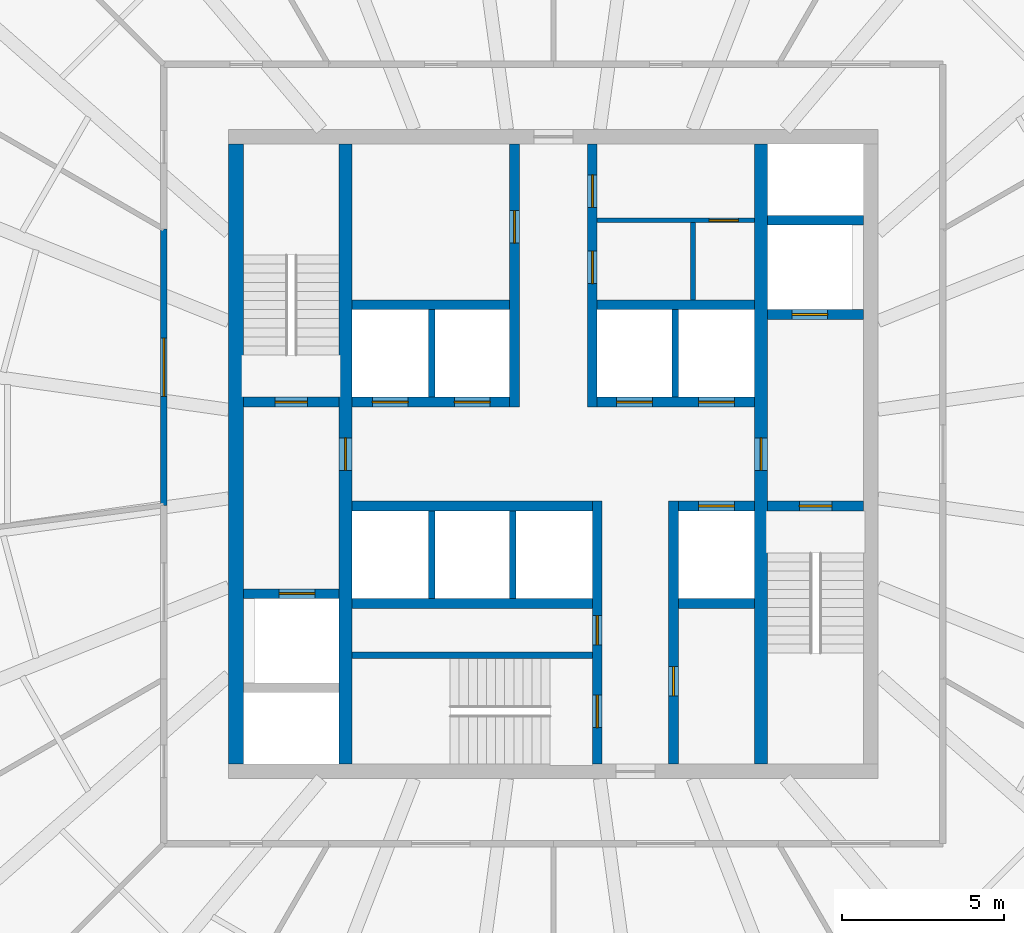
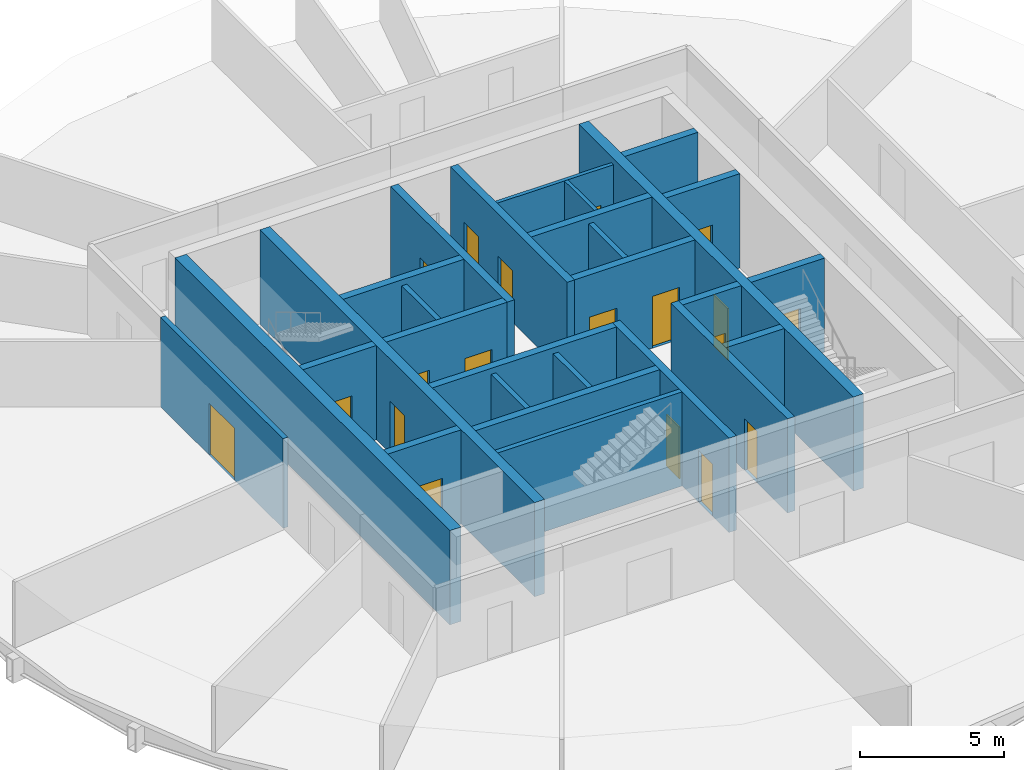
# One storey, part 3 of 6: 28 walls, 19 doors, 19 openings.
"""IFC4 building model written with IfcOpenShell, lengths in metres."""

from ifc_helpers import new_model, si_unit, direction, frame, frame_2d, origin, place, context, subcontext, project, spatial, rectangle, extrude, material, layer, layer_set, type_object, element, fill, save


model = new_model("IFC4")

# Units and contexts
model_context = context("Model", 3, precision=1e-05, world=origin(), true_north=direction((0.0, 1.0)))
body_context = subcontext(model_context, "Body", "Model", "MODEL_VIEW")
ifc_project = project(units=[si_unit("LENGTHUNIT", "METRE"), si_unit("AREAUNIT", "SQUARE_METRE"), si_unit("VOLUMEUNIT", "CUBIC_METRE"), si_unit("PLANEANGLEUNIT", "RADIAN"), si_unit("MASSUNIT", "GRAM", prefix="KILO")], contexts=[model_context])

# Site, building, storey
site_placement = place(None, origin())
site = spatial("IfcSite", under=ifc_project, at=site_placement, CompositionType="ELEMENT")
building_placement = place(site_placement, origin())
building = spatial("IfcBuilding", under=site, at=building_placement, Name="Golbaran Civic Tower", CompositionType="ELEMENT")
storey_placement = place(building_placement, frame((0.0, 0.0, 159.0)))
storey = spatial("IfcBuildingStorey", under=building, at=storey_placement, Name="L38", CompositionType="ELEMENT", Elevation=159.0)

# Wall, opening, door
ifc_material_1 = material(Name="Concrete block", Category="concrete")
ifc_layer_1 = layer(ifc_material_1, 0.14990234375, Name="Concrete block")
ifc_layer_set_1 = layer_set([ifc_layer_1], Name="Concrete block")
wall_type_1 = type_object("IfcWallType", Name="BLOCKWORK PARTITION 150", PredefinedType="PARTITIONING", material=ifc_layer_set_1)
wall_1_placement = place(storey_placement, frame((1.35009765625, 7.199951171875, 0.0), z_axis=(0.0, 0.0, 1.0), x_axis=(1.0, 0.0, 0.0)))
wall_1 = element("IfcWall", 1, at=wall_1_placement, inside=storey, type_object=wall_type_1, Name="Toilet block partition TN1 L38", PredefinedType="PARTITIONING", context=body_context, shape_type="SweptSolid", body=[
    extrude(rectangle(XDim=4.849853515625, YDim=0.14990234375, at=frame_2d((2.4248046875, 0.0))), origin(), (0.0, 0.0, 1.0), 3.75),
])
opening_1_placement = place(wall_1_placement, frame((3.449951171875, 0.0, 0.0)))
opening_1 = element("IfcOpeningElement", 2, at=opening_1_placement, cuts=wall_1, Name="Opening L38.CLN", PredefinedType="OPENING", context=body_context, shape_type="SweptSolid", body=[
    extrude(rectangle(XDim=0.89990234375, YDim=2.199951171875, at=frame_2d((0.449951171875, 1.10009765625))), frame((0.0, 0.0849609375, 0.0), z_axis=(0.0, -1.0, 0.0), x_axis=(1.0, 0.0, 0.0)), (0.0, 0.0, 1.0), 0.169921875),
])
ifc_material_2 = material(Name="Timber door set in steel frame", Category="steel")
door_type_1 = type_object("IfcDoorType", Name="RISER DOOR 900x2200", OperationType="SINGLE_SWING_LEFT", PredefinedType="DOOR", material=ifc_material_2)
door_1_placement = place(opening_1_placement, origin())
door_1 = element("IfcDoor", 3, at=door_1_placement, inside=storey, type_object=door_type_1, Name="Housekeeping Store door", OperationType="SINGLE_SWING_RIGHT", OverallHeight=2.199951171875, OverallWidth=0.89990234375, PredefinedType="DOOR", context=body_context, shape_type="SweptSolid", body=[
    extrude(rectangle(XDim=0.89990234375, YDim=2.199951171875, at=frame_2d((0.449951171875, 1.10009765625))), frame((0.0, 0.02490234375, 0.0), z_axis=(0.0, -1.0, 0.0), x_axis=(1.0, 0.0, 0.0)), (0.0, 0.0, 1.0), 0.050048828125),
])
fill(opening_1, door_1)

# Wall
wall_2_placement = place(storey_placement, frame((4.300048828125, 4.75, 0.0), z_axis=(0.0, 0.0, 1.0), x_axis=(0.0, 1.0, 0.0)))
element("IfcWall", 4, at=wall_2_placement, inside=storey, type_object=wall_type_1, Name="Toilet block partition TN2 L38", PredefinedType="PARTITIONING", context=body_context, shape_type="SweptSolid", body=[
    extrude(rectangle(XDim=2.375, YDim=0.14990234375, at=frame_2d((1.1875, 0.0))), origin(), (0.0, 0.0, 1.0), 3.75),
])

# Wall, opening, door
ifc_material_3 = material(Name="Concrete C50/60", Category="concrete")
ifc_layer_2 = layer(ifc_material_3, 0.39990234375, Name="Concrete C50/60")
ifc_layer_set_2 = layer_set([ifc_layer_2], Name="Concrete C50/60")
wall_type_2 = type_object("IfcWallType", Name="CORE WALL CONCRETE 400", PredefinedType="SOLIDWALL", material=ifc_layer_set_2)
wall_3_placement = place(storey_placement, frame((-6.39990234375, -9.550048828125, 0.0), z_axis=(0.0, 0.0, 1.0), x_axis=(0.0, 1.0, 0.0)))
wall_3 = element("IfcWall", 5, at=wall_3_placement, inside=storey, type_object=wall_type_2, Name="Core wall IW L38", PredefinedType="SOLIDWALL", context=body_context, shape_type="SweptSolid", body=[
    extrude(rectangle(XDim=19.10009765625, YDim=0.39990234375, at=frame_2d((9.550048828125, 0.0))), origin(), (0.0, 0.0, 1.0), 4.0),
])
opening_2_placement = place(wall_3_placement, frame((9.050048828125, 0.0, 0.0)))
opening_2 = element("IfcOpeningElement", 6, at=opening_2_placement, cuts=wall_3, Name="Opening L38.FL1", PredefinedType="OPENING", context=body_context, shape_type="SweptSolid", body=[
    extrude(rectangle(XDim=1.0, YDim=2.199951171875, at=frame_2d((0.5, 1.10009765625))), frame((0.0, 0.2099609375, 0.0), z_axis=(0.0, -1.0, 0.0), x_axis=(1.0, 0.0, 0.0)), (0.0, 0.0, 1.0), 0.419921875),
])
door_type_2 = type_object("IfcDoorType", Name="STAIR DOOR 1000x2200", OperationType="SINGLE_SWING_LEFT", PredefinedType="DOOR", material=ifc_material_2)
door_2_placement = place(opening_2_placement, origin())
door_2 = element("IfcDoor", 7, at=door_2_placement, inside=storey, type_object=door_type_2, Name="Fire-fighting lobby FL1 door", OperationType="SINGLE_SWING_LEFT", OverallHeight=2.199951171875, OverallWidth=1.0, PredefinedType="DOOR", context=body_context, shape_type="SweptSolid", body=[
    extrude(rectangle(XDim=1.0, YDim=2.199951171875, at=frame_2d((0.5, 1.10009765625))), frame((0.0, 0.02490234375, 0.0), z_axis=(0.0, -1.0, 0.0), x_axis=(1.0, 0.0, 0.0)), (0.0, 0.0, 1.0), 0.050048828125),
])
fill(opening_2, door_2)

wall_4_placement = place(storey_placement, frame((6.39990234375, 9.550048828125, 0.0), z_axis=(0.0, 0.0, 1.0), x_axis=(0.0, -1.0, 0.0)))
wall_4 = element("IfcWall", 8, at=wall_4_placement, inside=storey, type_object=wall_type_2, Name="Core wall IE L38", PredefinedType="SOLIDWALL", context=body_context, shape_type="SweptSolid", body=[
    extrude(rectangle(XDim=19.10009765625, YDim=0.39990234375, at=frame_2d((9.550048828125, 0.0))), origin(), (0.0, 0.0, 1.0), 4.0),
])
opening_3_placement = place(wall_4_placement, frame((9.050048828125, 0.0, 0.0)))
opening_3 = element("IfcOpeningElement", 9, at=opening_3_placement, cuts=wall_4, Name="Opening L38.FL2", PredefinedType="OPENING", context=body_context, shape_type="SweptSolid", body=[
    extrude(rectangle(XDim=1.0, YDim=2.199951171875, at=frame_2d((0.5, 1.10009765625))), frame((0.0, 0.2099609375, 0.0), z_axis=(0.0, -1.0, 0.0), x_axis=(1.0, 0.0, 0.0)), (0.0, 0.0, 1.0), 0.419921875),
])
door_3_placement = place(opening_3_placement, origin())
door_3 = element("IfcDoor", 10, at=door_3_placement, inside=storey, type_object=door_type_2, Name="Fire-fighting lobby FL2 door", OperationType="SINGLE_SWING_RIGHT", OverallHeight=2.199951171875, OverallWidth=1.0, PredefinedType="DOOR", context=body_context, shape_type="SweptSolid", body=[
    extrude(rectangle(XDim=1.0, YDim=2.199951171875, at=frame_2d((0.5, 1.10009765625))), frame((0.0, 0.02490234375, 0.0), z_axis=(0.0, -1.0, 0.0), x_axis=(1.0, 0.0, 0.0)), (0.0, 0.0, 1.0), 0.050048828125),
])
fill(opening_3, door_3)

# Wall
ifc_layer_3 = layer(ifc_material_3, 0.449951171875, Name="Concrete C50/60")
ifc_layer_set_3 = layer_set([ifc_layer_3], Name="Concrete C50/60")
wall_type_3 = type_object("IfcWallType", Name="CORE WALL CONCRETE 450", PredefinedType="SOLIDWALL", material=ifc_layer_set_3)
wall_5_placement = place(storey_placement, frame((-9.77490234375, 9.550048828125, 0.0), z_axis=(0.0, 0.0, 1.0), x_axis=(0.0, -1.0, 0.0)))
element("IfcWall", 11, at=wall_5_placement, inside=storey, type_object=wall_type_3, Name="Core wall CW L38", PredefinedType="SOLIDWALL", context=body_context, shape_type="SweptSolid", body=[
    extrude(rectangle(XDim=19.10009765625, YDim=0.449951171875, at=frame_2d((9.550048828125, 0.0))), origin(), (0.0, 0.0, 1.0), 4.0),
])

# Wall, opening, door
ifc_material_4 = material(Name="Gypsum board on steel studs, fire-rated", Category="steel")
ifc_layer_4 = layer(ifc_material_4, 0.199951171875, Name="Gypsum board on steel studs, fire-rated")
ifc_layer_set_4 = layer_set([ifc_layer_4], Name="Gypsum board on steel studs, fire-rated")
wall_type_4 = type_object("IfcWallType", Name="CORRIDOR WALL 200", PredefinedType="PARTITIONING", material=ifc_layer_set_4)
wall_6_placement = place(storey_placement, frame((-12.0, 6.92822265625, 0.0), z_axis=(0.0, 0.0, 1.0), x_axis=(0.0, -1.0, 0.0)))
wall_6 = element("IfcWall", 12, at=wall_6_placement, inside=storey, type_object=wall_type_4, Name="Corridor wall L38", PredefinedType="PARTITIONING", context=body_context, shape_type="SweptSolid", body=[
    extrude(rectangle(XDim=8.508056640625, YDim=0.199951171875, at=frame_2d((4.25390625, 0.0))), origin(), (0.0, 0.0, 1.0), 3.800048828125),
])
opening_4_placement = place(wall_6_placement, frame((3.35400390625, 0.0, 0.0)))
opening_4 = element("IfcOpeningElement", 13, at=opening_4_placement, cuts=wall_6, Name="Opening L38.12", PredefinedType="OPENING", context=body_context, shape_type="SweptSolid", body=[
    extrude(rectangle(XDim=1.800048828125, YDim=2.199951171875, at=frame_2d((0.89990234375, 1.10009765625))), frame((0.0, 0.10986328125, 0.0), z_axis=(0.0, -1.0, 0.0), x_axis=(1.0, 0.0, 0.0)), (0.0, 0.0, 1.0), 0.219970703125),
])
door_type_3 = type_object("IfcDoorType", Name="OFFICE DOUBLE DOOR 1800x2200", OperationType="DOUBLE_DOOR_SINGLE_SWING", PredefinedType="DOOR", material=ifc_material_2)
door_4_placement = place(opening_4_placement, origin())
door_4 = element("IfcDoor", 14, at=door_4_placement, inside=storey, type_object=door_type_3, Name="Data and Statistics Office door L38", OperationType="DOUBLE_DOOR_SINGLE_SWING", OverallHeight=2.199951171875, OverallWidth=1.800048828125, PredefinedType="DOOR", context=body_context, shape_type="SweptSolid", body=[
    extrude(rectangle(XDim=1.800048828125, YDim=2.199951171875, at=frame_2d((0.89990234375, 1.10009765625))), frame((0.0, 0.02490234375, 0.0), z_axis=(0.0, -1.0, 0.0), x_axis=(1.0, 0.0, 0.0)), (0.0, 0.0, 1.0), 0.050048828125),
])
fill(opening_4, door_4)

# Walls
ifc_layer_5 = layer(ifc_material_1, 0.199951171875, Name="Concrete block")
ifc_layer_set_5 = layer_set([ifc_layer_5], Name="Concrete block")
wall_type_5 = type_object("IfcWallType", Name="LIFT SEPARATOR WALL 200", PredefinedType="SOLIDWALL", material=ifc_layer_set_5)
for number, where, z_axis, x_axis, name in (
    (15, (-3.75, 1.75, 0.0), (0.0, 0.0, 1.0), (0.0, 1.0, 0.0), "Core partition SNW L38"),
    (16, (3.75, 1.75, 0.0), (0.0, 0.0, 1.0), (0.0, 1.0, 0.0), "Core partition SNE L38"),
    (17, (-3.75, -1.75, 0.0), (0.0, 0.0, 1.0), (0.0, -1.0, 0.0), "Core partition SSW L38"),
    (18, (-1.25, -1.75, 0.0), (0.0, 0.0, 1.0), (0.0, -1.0, 0.0), "Core partition SSM L38"),
):
    element("IfcWall", number, at=place(storey_placement, frame(where, z_axis=z_axis, x_axis=x_axis)), inside=storey, type_object=wall_type_5, Name=name, PredefinedType="SOLIDWALL", context=body_context, shape_type="SweptSolid", body=[
        extrude(rectangle(XDim=2.699951171875, YDim=0.199951171875, at=frame_2d((1.35009765625, 0.0))), origin(), (0.0, 0.0, 1.0), 3.75),
    ])
ifc_layer_6 = layer(ifc_material_3, 0.199951171875, Name="Concrete C50/60")
ifc_layer_set_6 = layer_set([ifc_layer_6], Name="Concrete C50/60")
wall_type_6 = type_object("IfcWallType", Name="SHAFT WALL CONCRETE 200", PredefinedType="SOLIDWALL", material=ifc_layer_set_6)
wall_7_placement = place(storey_placement, frame((-6.199951171875, -6.199951171875, 0.0), z_axis=(0.0, 0.0, 1.0), x_axis=(1.0, 0.0, 0.0)))
element("IfcWall", 19, at=wall_7_placement, inside=storey, type_object=wall_type_6, Name="Core wall S3N L38", PredefinedType="SOLIDWALL", context=body_context, shape_type="SweptSolid", body=[
    extrude(rectangle(XDim=7.39990234375, YDim=0.199951171875, at=frame_2d((3.699951171875, 0.0))), origin(), (0.0, 0.0, 1.0), 4.0),
])

# Wall, openings, doors
ifc_layer_7 = layer(ifc_material_3, 0.300048828125, Name="Concrete C50/60")
ifc_layer_set_7 = layer_set([ifc_layer_7], Name="Concrete C50/60")
wall_type_7 = type_object("IfcWallType", Name="SHAFT WALL CONCRETE 300", PredefinedType="SOLIDWALL", material=ifc_layer_set_7)
wall_8_placement = place(storey_placement, frame((-6.199951171875, 1.60009765625, 0.0), z_axis=(0.0, 0.0, 1.0), x_axis=(1.0, 0.0, 0.0)))
wall_8 = element("IfcWall", 20, at=wall_8_placement, inside=storey, type_object=wall_type_7, Name="Core wall FNW L38", PredefinedType="SOLIDWALL", context=body_context, shape_type="SweptSolid", body=[
    extrude(rectangle(XDim=4.849853515625, YDim=0.300048828125, at=frame_2d((2.4248046875, 0.0))), origin(), (0.0, 0.0, 1.0), 4.0),
])
opening_5_placement = place(wall_8_placement, frame((0.625, 0.0, 0.0)))
opening_5 = element("IfcOpeningElement", 21, at=opening_5_placement, cuts=wall_8, Name="Opening L38.LD-Z1H", PredefinedType="OPENING", context=body_context, shape_type="SweptSolid", body=[
    extrude(rectangle(XDim=1.10009765625, YDim=2.199951171875, at=frame_2d((0.550048828125, 1.10009765625))), frame((0.0, 0.159912109375, 0.0), z_axis=(0.0, -1.0, 0.0), x_axis=(1.0, 0.0, 0.0)), (0.0, 0.0, 1.0), 0.320068359375),
])
opening_6_placement = place(wall_8_placement, frame((3.14990234375, 0.0, 0.0)))
opening_6 = element("IfcOpeningElement", 22, at=opening_6_placement, cuts=wall_8, Name="Opening L38.LD-Z2H", PredefinedType="OPENING", context=body_context, shape_type="SweptSolid", body=[
    extrude(rectangle(XDim=1.10009765625, YDim=2.199951171875, at=frame_2d((0.550048828125, 1.10009765625))), frame((0.0, 0.159912109375, 0.0), z_axis=(0.0, -1.0, 0.0), x_axis=(1.0, 0.0, 0.0)), (0.0, 0.0, 1.0), 0.320068359375),
])
ifc_material_5 = material(Name="Stainless steel", Category="steel")
door_type_4 = type_object("IfcDoorType", Name="LIFT LANDING DOOR 1100x2200", OperationType="SLIDING_TO_LEFT", PredefinedType="DOOR", material=ifc_material_5)
door_5_placement = place(opening_5_placement, origin())
door_5 = element("IfcDoor", 23, at=door_5_placement, inside=storey, type_object=door_type_4, Name="Lift landing door Z1H", OperationType="SLIDING_TO_LEFT", OverallHeight=2.199951171875, OverallWidth=1.10009765625, PredefinedType="DOOR", context=body_context, shape_type="SweptSolid", body=[
    extrude(rectangle(XDim=1.10009765625, YDim=2.199951171875, at=frame_2d((0.550048828125, 1.10009765625))), frame((0.0, 0.02490234375, 0.0), z_axis=(0.0, -1.0, 0.0), x_axis=(1.0, 0.0, 0.0)), (0.0, 0.0, 1.0), 0.050048828125),
])
fill(opening_5, door_5)
door_6_placement = place(opening_6_placement, origin())
door_6 = element("IfcDoor", 24, at=door_6_placement, inside=storey, type_object=door_type_4, Name="Lift landing door Z2H", OperationType="SLIDING_TO_LEFT", OverallHeight=2.199951171875, OverallWidth=1.10009765625, PredefinedType="DOOR", context=body_context, shape_type="SweptSolid", body=[
    extrude(rectangle(XDim=1.10009765625, YDim=2.199951171875, at=frame_2d((0.550048828125, 1.10009765625))), frame((0.0, 0.02490234375, 0.0), z_axis=(0.0, -1.0, 0.0), x_axis=(1.0, 0.0, 0.0)), (0.0, 0.0, 1.0), 0.050048828125),
])
fill(opening_6, door_6)

wall_9_placement = place(storey_placement, frame((1.35009765625, 1.60009765625, 0.0), z_axis=(0.0, 0.0, 1.0), x_axis=(1.0, 0.0, 0.0)))
wall_9 = element("IfcWall", 25, at=wall_9_placement, inside=storey, type_object=wall_type_7, Name="Core wall FNE L38", PredefinedType="SOLIDWALL", context=body_context, shape_type="SweptSolid", body=[
    extrude(rectangle(XDim=4.849853515625, YDim=0.300048828125, at=frame_2d((2.4248046875, 0.0))), origin(), (0.0, 0.0, 1.0), 4.0),
])
opening_7_placement = place(wall_9_placement, frame((0.60009765625, 0.0, 0.0)))
opening_7 = element("IfcOpeningElement", 26, at=opening_7_placement, cuts=wall_9, Name="Opening L38.LD-Z3H", PredefinedType="OPENING", context=body_context, shape_type="SweptSolid", body=[
    extrude(rectangle(XDim=1.10009765625, YDim=2.199951171875, at=frame_2d((0.550048828125, 1.10009765625))), frame((0.0, 0.159912109375, 0.0), z_axis=(0.0, -1.0, 0.0), x_axis=(1.0, 0.0, 0.0)), (0.0, 0.0, 1.0), 0.320068359375),
])
opening_8_placement = place(wall_9_placement, frame((3.125, 0.0, 0.0)))
opening_8 = element("IfcOpeningElement", 27, at=opening_8_placement, cuts=wall_9, Name="Opening L38.LD-Z4H", PredefinedType="OPENING", context=body_context, shape_type="SweptSolid", body=[
    extrude(rectangle(XDim=1.10009765625, YDim=2.199951171875, at=frame_2d((0.550048828125, 1.10009765625))), frame((0.0, 0.159912109375, 0.0), z_axis=(0.0, -1.0, 0.0), x_axis=(1.0, 0.0, 0.0)), (0.0, 0.0, 1.0), 0.320068359375),
])
door_7_placement = place(opening_7_placement, origin())
door_7 = element("IfcDoor", 28, at=door_7_placement, inside=storey, type_object=door_type_4, Name="Lift landing door Z3H", OperationType="SLIDING_TO_LEFT", OverallHeight=2.199951171875, OverallWidth=1.10009765625, PredefinedType="DOOR", context=body_context, shape_type="SweptSolid", body=[
    extrude(rectangle(XDim=1.10009765625, YDim=2.199951171875, at=frame_2d((0.550048828125, 1.10009765625))), frame((0.0, 0.02490234375, 0.0), z_axis=(0.0, -1.0, 0.0), x_axis=(1.0, 0.0, 0.0)), (0.0, 0.0, 1.0), 0.050048828125),
])
fill(opening_7, door_7)
door_8_placement = place(opening_8_placement, origin())
door_8 = element("IfcDoor", 29, at=door_8_placement, inside=storey, type_object=door_type_4, Name="Lift landing door Z4H", OperationType="SLIDING_TO_LEFT", OverallHeight=2.199951171875, OverallWidth=1.10009765625, PredefinedType="DOOR", context=body_context, shape_type="SweptSolid", body=[
    extrude(rectangle(XDim=1.10009765625, YDim=2.199951171875, at=frame_2d((0.550048828125, 1.10009765625))), frame((0.0, 0.02490234375, 0.0), z_axis=(0.0, -1.0, 0.0), x_axis=(1.0, 0.0, 0.0)), (0.0, 0.0, 1.0), 0.050048828125),
])
fill(opening_8, door_8)

# Walls
for number, where, z_axis, x_axis, name in (
    (30, (-6.199951171875, 4.60009765625, 0.0), (0.0, 0.0, 1.0), (1.0, 0.0, 0.0), "Core wall BNW L38"),
    (31, (1.35009765625, 4.60009765625, 0.0), (0.0, 0.0, 1.0), (1.0, 0.0, 0.0), "Core wall BNE L38"),
):
    element("IfcWall", number, at=place(storey_placement, frame(where, z_axis=z_axis, x_axis=x_axis)), inside=storey, type_object=wall_type_7, Name=name, PredefinedType="SOLIDWALL", context=body_context, shape_type="SweptSolid", body=[
        extrude(rectangle(XDim=4.849853515625, YDim=0.300048828125, at=frame_2d((2.4248046875, 0.0))), origin(), (0.0, 0.0, 1.0), 4.0),
    ])

# Wall, opening, door
wall_10_placement = place(storey_placement, frame((-1.199951171875, 1.449951171875, 0.0), z_axis=(0.0, 0.0, 1.0), x_axis=(0.0, 1.0, 0.0)))
wall_10 = element("IfcWall", 32, at=wall_10_placement, inside=storey, type_object=wall_type_7, Name="Core wall PNW L38", PredefinedType="SOLIDWALL", context=body_context, shape_type="SweptSolid", body=[
    extrude(rectangle(XDim=8.10009765625, YDim=0.300048828125, at=frame_2d((4.050048828125, 0.0))), origin(), (0.0, 0.0, 1.0), 4.0),
])
opening_9_placement = place(wall_10_placement, frame((5.050048828125, 0.0, 0.0)))
opening_9 = element("IfcOpeningElement", 33, at=opening_9_placement, cuts=wall_10, Name="Opening L38.WCM", PredefinedType="OPENING", context=body_context, shape_type="SweptSolid", body=[
    extrude(rectangle(XDim=1.0, YDim=2.199951171875, at=frame_2d((0.5, 1.10009765625))), frame((0.0, 0.159912109375, 0.0), z_axis=(0.0, -1.0, 0.0), x_axis=(1.0, 0.0, 0.0)), (0.0, 0.0, 1.0), 0.320068359375),
])
door_type_5 = type_object("IfcDoorType", Name="TOILET DOOR 1000x2200", OperationType="SINGLE_SWING_LEFT", PredefinedType="DOOR", material=ifc_material_2)
door_9_placement = place(opening_9_placement, origin())
door_9 = element("IfcDoor", 34, at=door_9_placement, inside=storey, type_object=door_type_5, Name="North-west toilet block door", OperationType="SINGLE_SWING_RIGHT", OverallHeight=2.199951171875, OverallWidth=1.0, PredefinedType="DOOR", context=body_context, shape_type="SweptSolid", body=[
    extrude(rectangle(XDim=1.0, YDim=2.199951171875, at=frame_2d((0.5, 1.10009765625))), frame((0.0, 0.02490234375, 0.0), z_axis=(0.0, -1.0, 0.0), x_axis=(1.0, 0.0, 0.0)), (0.0, 0.0, 1.0), 0.050048828125),
])
fill(opening_9, door_9)

# Wall, openings, doors
wall_11_placement = place(storey_placement, frame((1.199951171875, 1.449951171875, 0.0), z_axis=(0.0, 0.0, 1.0), x_axis=(0.0, 1.0, 0.0)))
wall_11 = element("IfcWall", 35, at=wall_11_placement, inside=storey, type_object=wall_type_7, Name="Core wall PNE L38", PredefinedType="SOLIDWALL", context=body_context, shape_type="SweptSolid", body=[
    extrude(rectangle(XDim=8.10009765625, YDim=0.300048828125, at=frame_2d((4.050048828125, 0.0))), origin(), (0.0, 0.0, 1.0), 4.0),
])
opening_10_placement = place(wall_11_placement, frame((3.800048828125, 0.0, 0.0)))
opening_10 = element("IfcOpeningElement", 36, at=opening_10_placement, cuts=wall_11, Name="Opening L38.WCA", PredefinedType="OPENING", context=body_context, shape_type="SweptSolid", body=[
    extrude(rectangle(XDim=1.0, YDim=2.199951171875, at=frame_2d((0.5, 1.10009765625))), frame((0.0, 0.159912109375, 0.0), z_axis=(0.0, -1.0, 0.0), x_axis=(1.0, 0.0, 0.0)), (0.0, 0.0, 1.0), 0.320068359375),
])
opening_11_placement = place(wall_11_placement, frame((6.14990234375, 0.0, 0.0)))
opening_11 = element("IfcOpeningElement", 37, at=opening_11_placement, cuts=wall_11, Name="Opening L38.WCF", PredefinedType="OPENING", context=body_context, shape_type="SweptSolid", body=[
    extrude(rectangle(XDim=1.0, YDim=2.199951171875, at=frame_2d((0.5, 1.10009765625))), frame((0.0, 0.159912109375, 0.0), z_axis=(0.0, -1.0, 0.0), x_axis=(1.0, 0.0, 0.0)), (0.0, 0.0, 1.0), 0.320068359375),
])
door_10_placement = place(opening_10_placement, origin())
door_10 = element("IfcDoor", 38, at=door_10_placement, inside=storey, type_object=door_type_5, Name="Accessible WC door", OperationType="SINGLE_SWING_RIGHT", OverallHeight=2.199951171875, OverallWidth=1.0, PredefinedType="DOOR", context=body_context, shape_type="SweptSolid", body=[
    extrude(rectangle(XDim=1.0, YDim=2.199951171875, at=frame_2d((0.5, 1.10009765625))), frame((0.0, 0.02490234375, 0.0), z_axis=(0.0, -1.0, 0.0), x_axis=(1.0, 0.0, 0.0)), (0.0, 0.0, 1.0), 0.050048828125),
])
fill(opening_10, door_10)
door_11_placement = place(opening_11_placement, origin())
door_11 = element("IfcDoor", 39, at=door_11_placement, inside=storey, type_object=door_type_5, Name="North-east toilet block door", OperationType="SINGLE_SWING_RIGHT", OverallHeight=2.199951171875, OverallWidth=1.0, PredefinedType="DOOR", context=body_context, shape_type="SweptSolid", body=[
    extrude(rectangle(XDim=1.0, YDim=2.199951171875, at=frame_2d((0.5, 1.10009765625))), frame((0.0, 0.02490234375, 0.0), z_axis=(0.0, -1.0, 0.0), x_axis=(1.0, 0.0, 0.0)), (0.0, 0.0, 1.0), 0.050048828125),
])
fill(opening_11, door_11)

# Wall
wall_12_placement = place(storey_placement, frame((-6.199951171875, -1.60009765625, 0.0), z_axis=(0.0, 0.0, 1.0), x_axis=(1.0, 0.0, 0.0)))
element("IfcWall", 40, at=wall_12_placement, inside=storey, type_object=wall_type_7, Name="Core wall FSW L38", PredefinedType="SOLIDWALL", context=body_context, shape_type="SweptSolid", body=[
    extrude(rectangle(XDim=7.39990234375, YDim=0.300048828125, at=frame_2d((3.699951171875, 0.0))), origin(), (0.0, 0.0, 1.0), 4.0),
])

# Wall, opening, door
wall_13_placement = place(storey_placement, frame((3.85009765625, -1.60009765625, 0.0), z_axis=(0.0, 0.0, 1.0), x_axis=(1.0, 0.0, 0.0)))
wall_13 = element("IfcWall", 41, at=wall_13_placement, inside=storey, type_object=wall_type_7, Name="Core wall FSE L38", PredefinedType="SOLIDWALL", context=body_context, shape_type="SweptSolid", body=[
    extrude(rectangle(XDim=2.349853515625, YDim=0.300048828125, at=frame_2d((1.1748046875, 0.0))), origin(), (0.0, 0.0, 1.0), 4.0),
])
opening_12_placement = place(wall_13_placement, frame((0.625, 0.0, 0.0)))
opening_12 = element("IfcOpeningElement", 42, at=opening_12_placement, cuts=wall_13, Name="Opening L38.LD-V1", PredefinedType="OPENING", context=body_context, shape_type="SweptSolid", body=[
    extrude(rectangle(XDim=1.10009765625, YDim=2.199951171875, at=frame_2d((0.550048828125, 1.10009765625))), frame((0.0, 0.159912109375, 0.0), z_axis=(0.0, -1.0, 0.0), x_axis=(1.0, 0.0, 0.0)), (0.0, 0.0, 1.0), 0.320068359375),
])
door_12_placement = place(opening_12_placement, origin())
door_12 = element("IfcDoor", 43, at=door_12_placement, inside=storey, type_object=door_type_4, Name="Lift landing door V1", OperationType="SLIDING_TO_LEFT", OverallHeight=2.199951171875, OverallWidth=1.10009765625, PredefinedType="DOOR", context=body_context, shape_type="SweptSolid", body=[
    extrude(rectangle(XDim=1.10009765625, YDim=2.199951171875, at=frame_2d((0.550048828125, 1.10009765625))), frame((0.0, 0.02490234375, 0.0), z_axis=(0.0, -1.0, 0.0), x_axis=(1.0, 0.0, 0.0)), (0.0, 0.0, 1.0), 0.050048828125),
])
fill(opening_12, door_12)

# Walls
wall_14_placement = place(storey_placement, frame((-6.199951171875, -4.60009765625, 0.0), z_axis=(0.0, 0.0, 1.0), x_axis=(1.0, 0.0, 0.0)))
element("IfcWall", 44, at=wall_14_placement, inside=storey, type_object=wall_type_7, Name="Core wall BSW L38", PredefinedType="SOLIDWALL", context=body_context, shape_type="SweptSolid", body=[
    extrude(rectangle(XDim=7.39990234375, YDim=0.300048828125, at=frame_2d((3.699951171875, 0.0))), origin(), (0.0, 0.0, 1.0), 4.0),
])
wall_15_placement = place(storey_placement, frame((3.85009765625, -4.60009765625, 0.0), z_axis=(0.0, 0.0, 1.0), x_axis=(1.0, 0.0, 0.0)))
element("IfcWall", 45, at=wall_15_placement, inside=storey, type_object=wall_type_7, Name="Core wall BSE L38", PredefinedType="SOLIDWALL", context=body_context, shape_type="SweptSolid", body=[
    extrude(rectangle(XDim=2.349853515625, YDim=0.300048828125, at=frame_2d((1.1748046875, 0.0))), origin(), (0.0, 0.0, 1.0), 4.0),
])

# Wall, openings, doors
wall_16_placement = place(storey_placement, frame((1.35009765625, -1.449951171875, 0.0), z_axis=(0.0, 0.0, 1.0), x_axis=(0.0, -1.0, 0.0)))
wall_16 = element("IfcWall", 46, at=wall_16_placement, inside=storey, type_object=wall_type_7, Name="Core wall PSW L38", PredefinedType="SOLIDWALL", context=body_context, shape_type="SweptSolid", body=[
    extrude(rectangle(XDim=8.10009765625, YDim=0.300048828125, at=frame_2d((4.050048828125, 0.0))), origin(), (0.0, 0.0, 1.0), 4.0),
])
opening_13_placement = place(wall_16_placement, frame((5.97509765625, 0.0, 0.0)))
opening_13 = element("IfcOpeningElement", 47, at=opening_13_placement, cuts=wall_16, Name="Opening L38.S3", PredefinedType="OPENING", context=body_context, shape_type="SweptSolid", body=[
    extrude(rectangle(XDim=1.0, YDim=2.199951171875, at=frame_2d((0.5, 1.10009765625))), frame((0.0, 0.159912109375, 0.0), z_axis=(0.0, -1.0, 0.0), x_axis=(1.0, 0.0, 0.0)), (0.0, 0.0, 1.0), 0.320068359375),
])
opening_14_placement = place(wall_16_placement, frame((3.52490234375, 0.0, 0.0)))
opening_14 = element("IfcOpeningElement", 48, at=opening_14_placement, cuts=wall_16, Name="Opening L38.RE", PredefinedType="OPENING", context=body_context, shape_type="SweptSolid", body=[
    extrude(rectangle(XDim=0.89990234375, YDim=2.199951171875, at=frame_2d((0.449951171875, 1.10009765625))), frame((0.0, 0.159912109375, 0.0), z_axis=(0.0, -1.0, 0.0), x_axis=(1.0, 0.0, 0.0)), (0.0, 0.0, 1.0), 0.320068359375),
])
door_13_placement = place(opening_14_placement, origin())
door_13 = element("IfcDoor", 49, at=door_13_placement, inside=storey, type_object=door_type_1, Name="Electrical riser door", OperationType="SINGLE_SWING_LEFT", OverallHeight=2.199951171875, OverallWidth=0.89990234375, PredefinedType="DOOR", context=body_context, shape_type="SweptSolid", body=[
    extrude(rectangle(XDim=0.89990234375, YDim=2.199951171875, at=frame_2d((0.449951171875, 1.10009765625))), frame((0.0, 0.02490234375, 0.0), z_axis=(0.0, -1.0, 0.0), x_axis=(1.0, 0.0, 0.0)), (0.0, 0.0, 1.0), 0.050048828125),
])
fill(opening_14, door_13)
door_14_placement = place(opening_13_placement, origin())
door_14 = element("IfcDoor", 50, at=door_14_placement, inside=storey, type_object=door_type_2, Name="Stair S3 door", OperationType="SINGLE_SWING_RIGHT", OverallHeight=2.199951171875, OverallWidth=1.0, PredefinedType="DOOR", context=body_context, shape_type="SweptSolid", body=[
    extrude(rectangle(XDim=1.0, YDim=2.199951171875, at=frame_2d((0.5, 1.10009765625))), frame((0.0, 0.02490234375, 0.0), z_axis=(0.0, -1.0, 0.0), x_axis=(1.0, 0.0, 0.0)), (0.0, 0.0, 1.0), 0.050048828125),
])
fill(opening_13, door_14)

# Wall, opening, door
wall_17_placement = place(storey_placement, frame((3.699951171875, -1.449951171875, 0.0), z_axis=(0.0, 0.0, 1.0), x_axis=(0.0, -1.0, 0.0)))
wall_17 = element("IfcWall", 51, at=wall_17_placement, inside=storey, type_object=wall_type_7, Name="Core wall PSE L38", PredefinedType="SOLIDWALL", context=body_context, shape_type="SweptSolid", body=[
    extrude(rectangle(XDim=8.10009765625, YDim=0.300048828125, at=frame_2d((4.050048828125, 0.0))), origin(), (0.0, 0.0, 1.0), 4.0),
])
opening_15_placement = place(wall_17_placement, frame((5.10009765625, 0.0, 0.0)))
opening_15 = element("IfcOpeningElement", 52, at=opening_15_placement, cuts=wall_17, Name="Opening L38.RM", PredefinedType="OPENING", context=body_context, shape_type="SweptSolid", body=[
    extrude(rectangle(XDim=0.89990234375, YDim=2.199951171875, at=frame_2d((0.449951171875, 1.10009765625))), frame((0.0, 0.159912109375, 0.0), z_axis=(0.0, -1.0, 0.0), x_axis=(1.0, 0.0, 0.0)), (0.0, 0.0, 1.0), 0.320068359375),
])
door_15_placement = place(opening_15_placement, origin())
door_15 = element("IfcDoor", 53, at=door_15_placement, inside=storey, type_object=door_type_1, Name="Mechanical riser door", OperationType="SINGLE_SWING_RIGHT", OverallHeight=2.199951171875, OverallWidth=0.89990234375, PredefinedType="DOOR", context=body_context, shape_type="SweptSolid", body=[
    extrude(rectangle(XDim=0.89990234375, YDim=2.199951171875, at=frame_2d((0.449951171875, 1.10009765625))), frame((0.0, 0.02490234375, 0.0), z_axis=(0.0, -1.0, 0.0), x_axis=(1.0, 0.0, 0.0)), (0.0, 0.0, 1.0), 0.050048828125),
])
fill(opening_15, door_15)

wall_18_placement = place(storey_placement, frame((-9.550048828125, 1.60009765625, 0.0), z_axis=(0.0, 0.0, 1.0), x_axis=(1.0, 0.0, 0.0)))
wall_18 = element("IfcWall", 54, at=wall_18_placement, inside=storey, type_object=wall_type_7, Name="Core wall XW1 L38", PredefinedType="SOLIDWALL", context=body_context, shape_type="SweptSolid", body=[
    extrude(rectangle(XDim=2.949951171875, YDim=0.300048828125, at=frame_2d((1.47509765625, 0.0))), origin(), (0.0, 0.0, 1.0), 4.0),
])
opening_16_placement = place(wall_18_placement, frame((0.97509765625, 0.0, 0.0)))
opening_16 = element("IfcOpeningElement", 55, at=opening_16_placement, cuts=wall_18, Name="Opening L38.S1", PredefinedType="OPENING", context=body_context, shape_type="SweptSolid", body=[
    extrude(rectangle(XDim=1.0, YDim=2.199951171875, at=frame_2d((0.5, 1.10009765625))), frame((0.0, 0.159912109375, 0.0), z_axis=(0.0, -1.0, 0.0), x_axis=(1.0, 0.0, 0.0)), (0.0, 0.0, 1.0), 0.320068359375),
])
door_16_placement = place(opening_16_placement, origin())
door_16 = element("IfcDoor", 56, at=door_16_placement, inside=storey, type_object=door_type_2, Name="Stair S1 door", OperationType="SINGLE_SWING_LEFT", OverallHeight=2.199951171875, OverallWidth=1.0, PredefinedType="DOOR", context=body_context, shape_type="SweptSolid", body=[
    extrude(rectangle(XDim=1.0, YDim=2.199951171875, at=frame_2d((0.5, 1.10009765625))), frame((0.0, 0.02490234375, 0.0), z_axis=(0.0, -1.0, 0.0), x_axis=(1.0, 0.0, 0.0)), (0.0, 0.0, 1.0), 0.050048828125),
])
fill(opening_16, door_16)

wall_19_placement = place(storey_placement, frame((6.60009765625, -1.60009765625, 0.0), z_axis=(0.0, 0.0, 1.0), x_axis=(1.0, 0.0, 0.0)))
wall_19 = element("IfcWall", 57, at=wall_19_placement, inside=storey, type_object=wall_type_7, Name="Core wall XE1 L38", PredefinedType="SOLIDWALL", context=body_context, shape_type="SweptSolid", body=[
    extrude(rectangle(XDim=2.949951171875, YDim=0.300048828125, at=frame_2d((1.47509765625, 0.0))), origin(), (0.0, 0.0, 1.0), 4.0),
])
opening_17_placement = place(wall_19_placement, frame((0.97509765625, 0.0, 0.0)))
opening_17 = element("IfcOpeningElement", 58, at=opening_17_placement, cuts=wall_19, Name="Opening L38.S2", PredefinedType="OPENING", context=body_context, shape_type="SweptSolid", body=[
    extrude(rectangle(XDim=1.0, YDim=2.199951171875, at=frame_2d((0.5, 1.10009765625))), frame((0.0, 0.159912109375, 0.0), z_axis=(0.0, -1.0, 0.0), x_axis=(1.0, 0.0, 0.0)), (0.0, 0.0, 1.0), 0.320068359375),
])
door_17_placement = place(opening_17_placement, origin())
door_17 = element("IfcDoor", 59, at=door_17_placement, inside=storey, type_object=door_type_2, Name="Stair S2 door", OperationType="SINGLE_SWING_LEFT", OverallHeight=2.199951171875, OverallWidth=1.0, PredefinedType="DOOR", context=body_context, shape_type="SweptSolid", body=[
    extrude(rectangle(XDim=1.0, YDim=2.199951171875, at=frame_2d((0.5, 1.10009765625))), frame((0.0, 0.02490234375, 0.0), z_axis=(0.0, -1.0, 0.0), x_axis=(1.0, 0.0, 0.0)), (0.0, 0.0, 1.0), 0.050048828125),
])
fill(opening_17, door_17)

wall_20_placement = place(storey_placement, frame((-9.550048828125, -4.300048828125, 0.0), z_axis=(0.0, 0.0, 1.0), x_axis=(1.0, 0.0, 0.0)))
wall_20 = element("IfcWall", 60, at=wall_20_placement, inside=storey, type_object=wall_type_7, Name="Core wall XW2 L38", PredefinedType="SOLIDWALL", context=body_context, shape_type="SweptSolid", body=[
    extrude(rectangle(XDim=2.949951171875, YDim=0.300048828125, at=frame_2d((1.47509765625, 0.0))), origin(), (0.0, 0.0, 1.0), 4.0),
])
opening_18_placement = place(wall_20_placement, frame((1.10009765625, 0.0, 0.0)))
opening_18 = element("IfcOpeningElement", 61, at=opening_18_placement, cuts=wall_20, Name="Opening L38.LD-F1", PredefinedType="OPENING", context=body_context, shape_type="SweptSolid", body=[
    extrude(rectangle(XDim=1.10009765625, YDim=2.199951171875, at=frame_2d((0.550048828125, 1.10009765625))), frame((0.0, 0.159912109375, 0.0), z_axis=(0.0, -1.0, 0.0), x_axis=(1.0, 0.0, 0.0)), (0.0, 0.0, 1.0), 0.320068359375),
])
door_18_placement = place(opening_18_placement, origin())
door_18 = element("IfcDoor", 62, at=door_18_placement, inside=storey, type_object=door_type_4, Name="Lift landing door F1", OperationType="SLIDING_TO_LEFT", OverallHeight=2.199951171875, OverallWidth=1.10009765625, PredefinedType="DOOR", context=body_context, shape_type="SweptSolid", body=[
    extrude(rectangle(XDim=1.10009765625, YDim=2.199951171875, at=frame_2d((0.550048828125, 1.10009765625))), frame((0.0, 0.02490234375, 0.0), z_axis=(0.0, -1.0, 0.0), x_axis=(1.0, 0.0, 0.0)), (0.0, 0.0, 1.0), 0.050048828125),
])
fill(opening_18, door_18)

wall_21_placement = place(storey_placement, frame((6.60009765625, 4.300048828125, 0.0), z_axis=(0.0, 0.0, 1.0), x_axis=(1.0, 0.0, 0.0)))
wall_21 = element("IfcWall", 63, at=wall_21_placement, inside=storey, type_object=wall_type_7, Name="Core wall XE2 L38", PredefinedType="SOLIDWALL", context=body_context, shape_type="SweptSolid", body=[
    extrude(rectangle(XDim=2.949951171875, YDim=0.300048828125, at=frame_2d((1.47509765625, 0.0))), origin(), (0.0, 0.0, 1.0), 4.0),
])
opening_19_placement = place(wall_21_placement, frame((0.75, 0.0, 0.0)))
opening_19 = element("IfcOpeningElement", 64, at=opening_19_placement, cuts=wall_21, Name="Opening L38.LD-F2", PredefinedType="OPENING", context=body_context, shape_type="SweptSolid", body=[
    extrude(rectangle(XDim=1.10009765625, YDim=2.199951171875, at=frame_2d((0.550048828125, 1.10009765625))), frame((0.0, 0.159912109375, 0.0), z_axis=(0.0, -1.0, 0.0), x_axis=(1.0, 0.0, 0.0)), (0.0, 0.0, 1.0), 0.320068359375),
])
door_19_placement = place(opening_19_placement, origin())
door_19 = element("IfcDoor", 65, at=door_19_placement, inside=storey, type_object=door_type_4, Name="Lift landing door F2", OperationType="SLIDING_TO_LEFT", OverallHeight=2.199951171875, OverallWidth=1.10009765625, PredefinedType="DOOR", context=body_context, shape_type="SweptSolid", body=[
    extrude(rectangle(XDim=1.10009765625, YDim=2.199951171875, at=frame_2d((0.550048828125, 1.10009765625))), frame((0.0, 0.02490234375, 0.0), z_axis=(0.0, -1.0, 0.0), x_axis=(1.0, 0.0, 0.0)), (0.0, 0.0, 1.0), 0.050048828125),
])
fill(opening_19, door_19)

# Wall
wall_22_placement = place(storey_placement, frame((6.60009765625, 7.199951171875, 0.0), z_axis=(0.0, 0.0, 1.0), x_axis=(1.0, 0.0, 0.0)))
element("IfcWall", 66, at=wall_22_placement, inside=storey, type_object=wall_type_7, Name="Core wall XE3 L38", PredefinedType="SOLIDWALL", context=body_context, shape_type="SweptSolid", body=[
    extrude(rectangle(XDim=2.949951171875, YDim=0.300048828125, at=frame_2d((1.47509765625, 0.0))), origin(), (0.0, 0.0, 1.0), 4.0),
])

save(model, "model.ifc")
